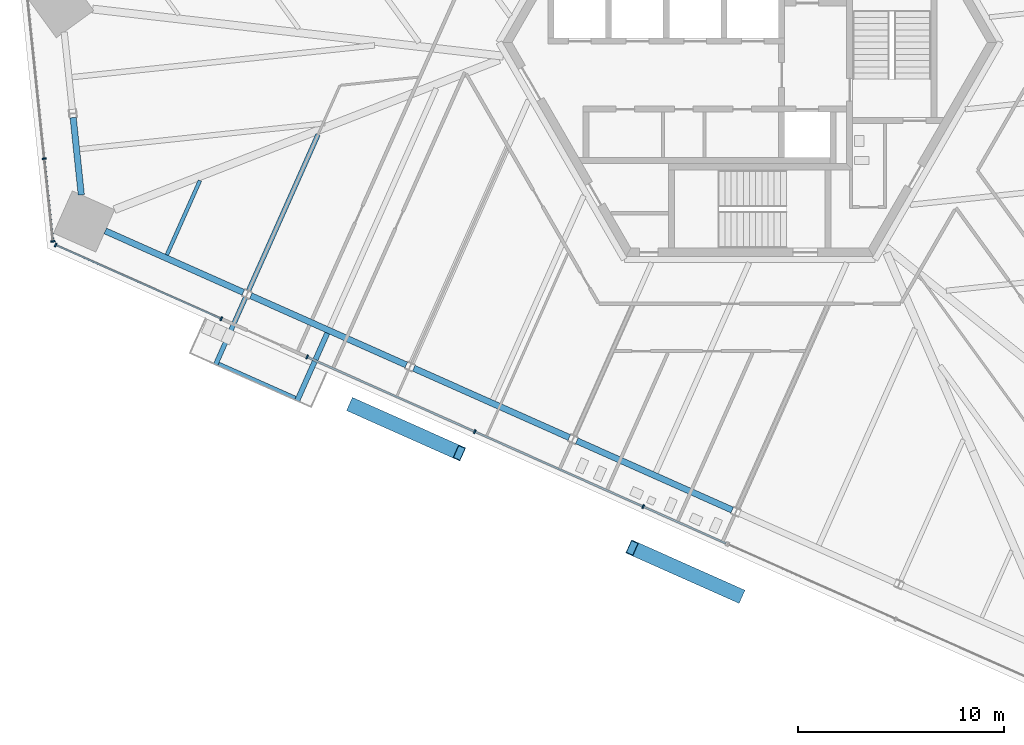
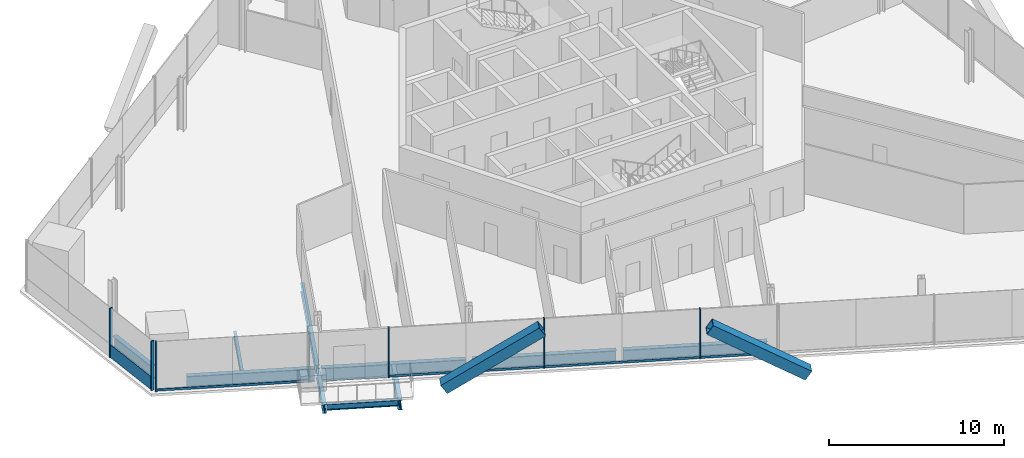
# One storey, part 3 of 19: 14 members, 10 beams, 3 elements without a shape of their own.
"""IFC4 building model written with IfcOpenShell, lengths in metres."""

from ifc_helpers import new_model, si_unit, direction, frame, origin, origin_2d, place, context, subcontext, project, spatial, rectangle, hollow_rectangle, i_section, extrude, source, transform, mapped, material, material_profile, profile_set, type_object, element, aggregate, save


model = new_model("IFC4")

# Units and contexts
model_context = context("Model", 3, precision=1e-05, world=origin(), true_north=direction((0.0, 1.0)))
body_context = subcontext(model_context, "Body", "Model", "MODEL_VIEW")
ifc_project = project(units=[si_unit("LENGTHUNIT", "METRE"), si_unit("AREAUNIT", "SQUARE_METRE"), si_unit("VOLUMEUNIT", "CUBIC_METRE"), si_unit("PLANEANGLEUNIT", "RADIAN"), si_unit("MASSUNIT", "GRAM", prefix="KILO")], contexts=[model_context])

# Site, building, storey
site_placement = place(None, origin())
site = spatial("IfcSite", under=ifc_project, at=site_placement, CompositionType="ELEMENT")
building_placement = place(site_placement, origin())
building = spatial("IfcBuilding", under=site, at=building_placement, Name="Triune Harvest Tower", CompositionType="ELEMENT")
storey_placement = place(building_placement, frame((0.0, 0.0, 69.300048828125)))
storey = spatial("IfcBuildingStorey", under=building, at=storey_placement, Name="L16", CompositionType="ELEMENT", Elevation=69.300048828125)

# Beams
ifc_material_1 = material(Name="Steel ASTM A992 Gr 50", Category="steel")
ifc_material_profile_1 = material_profile(ifc_material_1, i_section(OverallWidth=0.3046875, OverallDepth=0.914306640625, WebThickness=0.0166015625, FlangeThickness=0.02587890625, at=origin_2d()), Name="W36x160")
ifc_profile_set_1 = profile_set([ifc_material_profile_1], Name="Steel ASTM A992 Gr 50")
beam_type_1 = type_object("IfcBeamType", Name="SB-1 Spandrel beam W36x160", PredefinedType="SPANDREL", material=ifc_profile_set_1)
shared_shape_1 = source(origin(), body_context, "Body", "SweptSolid", [
    extrude(i_section(OverallWidth=0.3046875, OverallDepth=0.914306640625, WebThickness=0.0166015625, FlangeThickness=0.02587890625, at=origin_2d()), origin(), (0.0, 0.0, 1.0), 7.337890625),
])
beam_1_placement = place(storey_placement, frame((-31.29150390625, -9.156982421875, -0.6171875), z_axis=(0.913558923036, -0.40670639796, 0.0), x_axis=(0.40670639796, 0.913558923036, 0.0)))
element("IfcBeam", 1, at=beam_1_placement, inside=storey, type_object=beam_type_1, Name="beam/L16/SB17", PredefinedType="SPANDREL", context=body_context, shape_type="MappedRepresentation", body=[
    mapped(shared_shape_1, transform((0.0, 0.0, 0.0), scale=1.0)),
])
shared_shape_2 = source(origin(), body_context, "Body", "SweptSolid", [
    extrude(i_section(OverallWidth=0.3046875, OverallDepth=0.914306640625, WebThickness=0.0166015625, FlangeThickness=0.02587890625, at=origin_2d()), origin(), (0.0, 0.0, 1.0), 8.263427734375),
])
for number, where, z_axis, x_axis, name in (
    (2, (-24.2236328125, -12.3037109375, -0.6171875), (0.913544537455, -0.406738709846, 0.0), (0.406738709846, 0.913544537455, 0.0), "beam/L16/SB18"),
    (3, (-16.310302734375, -15.826904296875, -0.6171875), (0.913544537455, -0.406738709846, 0.0), (0.406738709846, 0.913544537455, 0.0), "beam/L16/SB19"),
    (4, (-8.39697265625, -19.35009765625, -0.6171875), (0.913544537455, -0.406738709846, 0.0), (0.406738709846, 0.913544537455, 0.0), "beam/L16/SB20"),
):
    element("IfcBeam", number, at=place(storey_placement, frame(where, z_axis=z_axis, x_axis=x_axis)), inside=storey, type_object=beam_type_1, Name=name, PredefinedType="SPANDREL", context=body_context, shape_type="MappedRepresentation", body=[
        mapped(shared_shape_2, transform((0.0, 0.0, 0.0), scale=1.0)),
    ])
shared_shape_3 = source(origin(), body_context, "Body", "SweptSolid", [
    extrude(i_section(OverallWidth=0.3046875, OverallDepth=0.914306640625, WebThickness=0.0166015625, FlangeThickness=0.02587890625, at=origin_2d()), origin(), (0.0, 0.0, 1.0), 3.775146484375),
])
beam_2_placement = place(storey_placement, frame((-32.849609375, -3.653076171875, -0.6171875), z_axis=(0.104573690763, -0.994517140727, 0.0), x_axis=(0.994517140727, 0.104573690763, 0.0)))
element("IfcBeam", 5, at=beam_2_placement, inside=storey, type_object=beam_type_1, Name="beam/L16/SB16", PredefinedType="SPANDREL", context=body_context, shape_type="MappedRepresentation", body=[
    mapped(shared_shape_3, transform((0.0, 0.0, 0.0), scale=1.0)),
])
ifc_material_2 = material(Name="Steel ASTM A992 Gr 50", Category="steel")
ifc_material_profile_2 = material_profile(ifc_material_2, i_section(OverallWidth=0.180908203125, OverallDepth=0.41650390625, WebThickness=0.010986328125, FlangeThickness=0.01806640625, at=origin_2d()), Name="W16x57")
ifc_profile_set_2 = profile_set([ifc_material_profile_2], Name="Steel ASTM A992 Gr 50")
beam_type_2 = type_object("IfcBeamType", Name="JT-1 Floor joist W16x57", PredefinedType="JOIST", material=ifc_profile_set_2)
shared_shape_4 = source(origin(), body_context, "Body", "SweptSolid", [
    extrude(i_section(OverallWidth=0.180908203125, OverallDepth=0.41650390625, WebThickness=0.010986328125, FlangeThickness=0.01806640625, at=origin_2d()), origin(), (0.0, 0.0, 1.0), 3.95068359375),
])
beam_3_placement = place(storey_placement, frame((-28.300537109375, -10.32177734375, -0.368408203125), z_axis=(0.406746150359, 0.913541224668, 0.0), x_axis=(-0.913541224668, 0.406746150359, 0.0)))
element("IfcBeam", 6, at=beam_3_placement, inside=storey, type_object=beam_type_2, Name="beam/L16/JT27", PredefinedType="JOIST", context=body_context, shape_type="MappedRepresentation", body=[
    mapped(shared_shape_4, transform((0.0, 0.0, 0.0), scale=1.0)),
])
ifc_material_3 = material(Name="Steel ASTM A992 Gr 50", Category="steel")
ifc_material_profile_3 = material_profile(ifc_material_3, i_section(OverallWidth=0.22900390625, OverallDepth=0.612060546875, WebThickness=0.011962890625, FlangeThickness=0.01953125, at=origin_2d()), Name="W24x84")
ifc_profile_set_3 = profile_set([ifc_material_profile_3], Name="Steel ASTM A992 Gr 50")
beam_type_3 = type_object("IfcBeamType", Name="JT-3 Floor joist W24x84", PredefinedType="JOIST", material=ifc_profile_set_3)
shared_shape_5 = source(origin(), body_context, "Body", "SweptSolid", [
    extrude(i_section(OverallWidth=0.22900390625, OverallDepth=0.612060546875, WebThickness=0.011962890625, FlangeThickness=0.01953125, at=origin_2d()), origin(), (0.0, 0.0, 1.0), 8.28173828125),
])
beam_4_placement = place(storey_placement, frame((-24.32568359375, -12.042724609375, -0.466064453125), z_axis=(0.406731926006, 0.913547557803, 0.0), x_axis=(-0.913547557803, 0.406731926006, 0.0)))
element("IfcBeam", 7, at=beam_4_placement, inside=storey, type_object=beam_type_3, Name="beam/L16/JT28", PredefinedType="JOIST", context=body_context, shape_type="MappedRepresentation", body=[
    mapped(shared_shape_5, transform((0.0, 0.0, 0.0), scale=1.0)),
])

# Members
ifc_material_4 = material(Name="Steel ASTM A572 Gr 50", Category="steel")
ifc_material_profile_4 = material_profile(ifc_material_4, hollow_rectangle(XDim=0.699951171875, YDim=0.699951171875, WallThickness=0.0400390625, at=origin_2d()), Name="Box 700x700x40")
ifc_profile_set_4 = profile_set([ifc_material_profile_4], Name="Steel ASTM A572 Gr 50")
member_type_1 = type_object("IfcMemberType", Name="BR-1 Brace Box 700x700x40", PredefinedType="BRACE", material=ifc_profile_set_4)
shared_shape_6 = source(origin(), body_context, "Body", "SweptSolid", [
    extrude(hollow_rectangle(XDim=0.699951171875, YDim=0.699951171875, WallThickness=0.0400390625, at=origin_2d()), origin(), (0.0, 0.0, 1.0), 6.7021484375),
])
member_1_placement = place(storey_placement, frame((-19.263427734375, -17.637451171875, 0.0), z_axis=(0.7705752444, -0.343105239057, 0.537115059973), x_axis=(0.40675943476, 0.91353530979, 0.0)))
element("IfcMember", 8, at=member_1_placement, inside=storey, type_object=member_type_1, Name="brace/B2-F5/d1/4", PredefinedType="BRACE", context=body_context, shape_type="MappedRepresentation", body=[
    mapped(shared_shape_6, transform((0.0, 0.0, 0.0), scale=1.0)),
])
shared_shape_7 = source(origin(), body_context, "Body", "SweptSolid", [
    extrude(hollow_rectangle(XDim=0.699951171875, YDim=0.699951171875, WallThickness=0.0400390625, at=origin_2d()), origin(), (0.0, 0.0, 1.0), 6.702392578125),
])
member_2_placement = place(storey_placement, frame((-0.542724609375, -26.848388671875, 0.0), z_axis=(-0.770590040898, 0.343095608377, 0.537099983599), x_axis=(-0.406743388258, -0.913542454464, 0.0)))
element("IfcMember", 9, at=member_2_placement, inside=storey, type_object=member_type_1, Name="brace/B2-F5/d2/4", PredefinedType="BRACE", context=body_context, shape_type="MappedRepresentation", body=[
    mapped(shared_shape_7, transform((0.0, 0.0, 0.0), scale=1.0)),
])

# Curtain wall, members
ifc_material_5 = material(Name="Aluminium bronze anodised", Category="aluminium")
curtain_wall_type_1 = type_object("IfcCurtainWallType", Name="CW-1 Tower stick curtain wall", PredefinedType="NOTDEFINED", material=ifc_material_5)
curtain_wall_1_placement = place(storey_placement, origin())
curtain_wall_1 = element("IfcCurtainWall", 10, at=curtain_wall_1_placement, inside=storey, type_object=curtain_wall_type_1, Name="CW-1 B2-F4 L16 run 1")
ifc_material_6 = material(Name="Aluminium bronze anodised", Category="aluminium")
ifc_material_profile_5 = material_profile(ifc_material_6, rectangle(XDim=0.199951171875, YDim=0.074951171875, at=origin_2d()), Name="MU-1 mullion 75 x 200")
ifc_profile_set_5 = profile_set([ifc_material_profile_5], Name="Aluminium bronze anodised")
member_type_2 = type_object("IfcMemberType", Name="MU-1 mullion 75 x 200", PredefinedType="MULLION", material=ifc_profile_set_5)
shared_shape_8 = source(origin(), body_context, "Body", "SweptSolid", [
    extrude(rectangle(XDim=0.199951171875, YDim=0.074951171875, at=origin_2d()), origin(), (0.0, 0.0, 1.0), 3.43994140625),
])
member_3_placement = place(storey_placement, frame((-34.25390625, -5.648193359375, 0.0), z_axis=(0.0, 0.0, 1.0), x_axis=(0.994521790334, 0.104529462601, 0.0)))
member_3 = element("IfcMember", 11, at=member_3_placement, type_object=member_type_2, Name="CW-1 mullion B2-F4 1.3", PredefinedType="MULLION", context=body_context, shape_type="MappedRepresentation", body=[
    mapped(shared_shape_8, transform((0.0, 0.0, 0.0), scale=1.0)),
])
member_4_placement = place(storey_placement, frame((-33.83203125, -9.662109375, 0.0), z_axis=(0.0, 0.0, 1.0), x_axis=(0.994521790334, 0.104529462601, 0.0)))
member_4 = element("IfcMember", 12, at=member_4_placement, type_object=member_type_2, Name="CW-1 mullion B2-F4 1.4", PredefinedType="MULLION", context=body_context, shape_type="MappedRepresentation", body=[
    mapped(shared_shape_8, transform((0.0, 0.0, 0.0), scale=1.0)),
])
ifc_material_7 = material(Name="Aluminium bronze anodised", Category="aluminium")
ifc_material_profile_6 = material_profile(ifc_material_7, rectangle(XDim=0.090087890625, YDim=0.89990234375, at=origin_2d()), Name="TR-1 transom 90 x 900")
ifc_profile_set_6 = profile_set([ifc_material_profile_6], Name="Aluminium bronze anodised")
member_type_3 = type_object("IfcMemberType", Name="TR-1 transom 90 x 900", PredefinedType="USERDEFINED", material=ifc_profile_set_6)
shared_shape_9 = source(origin(), body_context, "Body", "SweptSolid", [
    extrude(rectangle(XDim=0.090087890625, YDim=0.89990234375, at=origin_2d()), origin(), (0.0, 0.0, 1.0), 3.9609375),
])
member_5_placement = place(storey_placement, frame((-34.25, -5.685546875, 0.449951171875), z_axis=(0.104537191117, -0.994520977996, 0.0), x_axis=(0.994520977996, 0.104537191117, 0.0)))
member_5 = element("IfcMember", 13, at=member_5_placement, type_object=member_type_3, Name="CW-1 transom B2-F4 1.2", ObjectType="TRANSOM", PredefinedType="USERDEFINED", context=body_context, shape_type="MappedRepresentation", body=[
    mapped(shared_shape_9, transform((0.0, 0.0, 0.0), scale=1.0)),
])
aggregate(curtain_wall_1, [member_3, member_4, member_5])

ifc_material_8 = material(Name="Aluminium bronze anodised", Category="aluminium")
curtain_wall_type_2 = type_object("IfcCurtainWallType", Name="CW-6 Balcony window wall", PredefinedType="NOTDEFINED", material=ifc_material_8)
curtain_wall_2_placement = place(storey_placement, origin())
curtain_wall_2 = element("IfcCurtainWall", 14, at=curtain_wall_2_placement, inside=storey, type_object=curtain_wall_type_2, Name="CW-6 B2-F5 L16 run 1")
ifc_material_9 = material(Name="Aluminium bronze anodised", Category="aluminium")
ifc_material_profile_7 = material_profile(ifc_material_9, rectangle(XDim=0.199951171875, YDim=0.074951171875, at=origin_2d()), Name="MU-6 mullion 75 x 200")
ifc_profile_set_7 = profile_set([ifc_material_profile_7], Name="Aluminium bronze anodised")
member_type_4 = type_object("IfcMemberType", Name="MU-6 mullion 75 x 200", PredefinedType="MULLION", material=ifc_profile_set_7)
shared_shape_10 = source(origin(), body_context, "Body", "SweptSolid", [
    extrude(rectangle(XDim=0.199951171875, YDim=0.074951171875, at=origin_2d()), origin(), (0.0, 0.0, 1.0), 3.43994140625),
])
member_6_placement = place(storey_placement, frame((-33.7021484375, -9.840576171875, 0.0), z_axis=(0.0, 0.0, 1.0), x_axis=(0.406737205721, 0.913545207137, 0.0)))
member_6 = element("IfcMember", 15, at=member_6_placement, type_object=member_type_4, Name="CW-6 mullion B2-F5 1.1", PredefinedType="MULLION", context=body_context, shape_type="MappedRepresentation", body=[
    mapped(shared_shape_10, transform((0.0, 0.0, 0.0), scale=1.0)),
])
member_7_placement = place(storey_placement, frame((-25.6572265625, -13.42236328125, 0.0), z_axis=(0.0, 0.0, 1.0), x_axis=(0.406737205721, 0.913545207137, 0.0)))
member_7 = element("IfcMember", 16, at=member_7_placement, type_object=member_type_4, Name="CW-6 mullion B2-F5 1.3", PredefinedType="MULLION", context=body_context, shape_type="MappedRepresentation", body=[
    mapped(shared_shape_10, transform((0.0, 0.0, 0.0), scale=1.0)),
])

ifc_material_10 = material(Name="Aluminium bronze anodised", Category="aluminium")
curtain_wall_type_3 = type_object("IfcCurtainWallType", Name="CW-10 Balcony window wall with insulated spandrel infill", PredefinedType="NOTDEFINED", material=ifc_material_10)
curtain_wall_3_placement = place(storey_placement, origin())
curtain_wall_3 = element("IfcCurtainWall", 17, at=curtain_wall_3_placement, inside=storey, type_object=curtain_wall_type_3, Name="CW-10 B2-F5 L16 run 2")
member_8_placement = place(storey_placement, frame((-21.490966796875, -15.27734375, 0.0), z_axis=(0.0, 0.0, 1.0), x_axis=(0.406738957975, 0.91354442698, 0.0)))
member_8 = element("IfcMember", 18, at=member_8_placement, type_object=member_type_4, Name="CW-10 mullion B2-F5 2.1", PredefinedType="MULLION", context=body_context, shape_type="MappedRepresentation", body=[
    mapped(shared_shape_10, transform((0.0, 0.0, 0.0), scale=1.0)),
])
member_9_placement = place(storey_placement, frame((-13.347900390625, -18.90283203125, 0.0), z_axis=(0.0, 0.0, 1.0), x_axis=(0.406738957975, 0.91354442698, 0.0)))
member_9 = element("IfcMember", 19, at=member_9_placement, type_object=member_type_4, Name="CW-10 mullion B2-F5 2.3", PredefinedType="MULLION", context=body_context, shape_type="MappedRepresentation", body=[
    mapped(shared_shape_10, transform((0.0, 0.0, 0.0), scale=1.0)),
])
member_10_placement = place(storey_placement, frame((-5.170654296875, -22.543701171875, 0.0), z_axis=(0.0, 0.0, 1.0), x_axis=(0.406738957975, 0.91354442698, 0.0)))
member_10 = element("IfcMember", 20, at=member_10_placement, type_object=member_type_4, Name="CW-10 mullion B2-F5 2.5", PredefinedType="MULLION", context=body_context, shape_type="MappedRepresentation", body=[
    mapped(shared_shape_10, transform((0.0, 0.0, 0.0), scale=1.0)),
])

# Beams
ifc_material_11 = material(Name="Steel ASTM A992 Gr 50", Category="steel")
ifc_material_profile_8 = material_profile(ifc_material_11, i_section(OverallWidth=0.253662109375, OverallDepth=0.683349609375, WebThickness=0.012451171875, FlangeThickness=0.01904296875, at=origin_2d()), Name="W27x94")
ifc_profile_set_8 = profile_set([ifc_material_profile_8], Name="Steel ASTM A992 Gr 50")
beam_type_4 = type_object("IfcBeamType", Name="BJ-4 Balcony cantilever joist W27x94", PredefinedType="JOIST", material=ifc_profile_set_8)
shared_shape_11 = source(origin(), body_context, "Body", "SweptSolid", [
    extrude(i_section(OverallWidth=0.253662109375, OverallDepth=0.683349609375, WebThickness=0.012451171875, FlangeThickness=0.01904296875, at=origin_2d()), origin(), (0.0, 0.0, 1.0), 3.59765625),
])
beam_5_placement = place(storey_placement, frame((-20.510986328125, -14.123291015625, -0.501708984375), z_axis=(-0.406755413658, -0.91353710021, 0.0), x_axis=(0.91353710021, -0.406755413658, 0.0)))
element("IfcBeam", 21, at=beam_5_placement, inside=storey, type_object=beam_type_4, Name="Balcony cantilever joist B2-F5 L16.3b", PredefinedType="JOIST", context=body_context, shape_type="MappedRepresentation", body=[
    mapped(shared_shape_11, transform((0.0, 0.0, 0.0), scale=1.0)),
])
ifc_material_12 = material(Name="Steel ASTM A992 Gr 50", Category="steel")
ifc_material_profile_9 = material_profile(ifc_material_12, i_section(OverallWidth=0.180908203125, OverallDepth=0.41650390625, WebThickness=0.010986328125, FlangeThickness=0.01806640625, at=origin_2d()), Name="W16x57")
ifc_profile_set_9 = profile_set([ifc_material_profile_9], Name="Steel ASTM A992 Gr 50")
beam_type_5 = type_object("IfcBeamType", Name="BE-1 balcony edge beam W16x57", PredefinedType="BEAM", material=ifc_profile_set_9)
shared_shape_12 = source(origin(), body_context, "Body", "SweptSolid", [
    extrude(i_section(OverallWidth=0.180908203125, OverallDepth=0.41650390625, WebThickness=0.010986328125, FlangeThickness=0.01806640625, at=origin_2d()), origin(), (0.0, 0.0, 1.0), 4.089599609375),
])
beam_6_placement = place(storey_placement, frame((-25.78955078125, -15.6123046875, -0.368408203125), z_axis=(0.913552878948, -0.406719974141, 0.0), x_axis=(0.406719974141, 0.913552878948, 0.0)))
element("IfcBeam", 22, at=beam_6_placement, inside=storey, type_object=beam_type_5, Name="Balcony edge beam B2-F5 L16.3", PredefinedType="BEAM", context=body_context, shape_type="MappedRepresentation", body=[
    mapped(shared_shape_12, transform((0.0, 0.0, 0.0), scale=1.0)),
])

# Member
ifc_material_13 = material(Name="Aluminium bronze anodised", Category="aluminium")
ifc_material_profile_10 = material_profile(ifc_material_13, rectangle(XDim=0.090087890625, YDim=0.14990234375, at=origin_2d()), Name="TR-6 transom 90 x 150")
ifc_profile_set_10 = profile_set([ifc_material_profile_10], Name="Aluminium bronze anodised")
member_type_5 = type_object("IfcMemberType", Name="TR-6 transom 90 x 150", PredefinedType="USERDEFINED", material=ifc_profile_set_10)
shared_shape_13 = source(origin(), body_context, "Body", "SweptSolid", [
    extrude(rectangle(XDim=0.090087890625, YDim=0.14990234375, at=origin_2d()), origin(), (0.0, 0.0, 1.0), 8.731201171875),
])
member_11_placement = place(storey_placement, frame((-33.66796875, -9.85595703125, 0.074951171875), z_axis=(0.913546147299, -0.406735094078, 0.0), x_axis=(0.406735094078, 0.913546147299, 0.0)))
member_11 = element("IfcMember", 23, at=member_11_placement, type_object=member_type_5, Name="CW-6 transom B2-F5 1.1", ObjectType="TRANSOM", PredefinedType="USERDEFINED", context=body_context, shape_type="MappedRepresentation", body=[
    mapped(shared_shape_13, transform((0.0, 0.0, 0.0), scale=1.0)),
])

aggregate(curtain_wall_2, [member_6, member_7, member_11])

# Beam
ifc_material_14 = material(Name="Steel ASTM A992 Gr 50", Category="steel")
ifc_material_profile_11 = material_profile(ifc_material_14, i_section(OverallWidth=0.22900390625, OverallDepth=0.612060546875, WebThickness=0.011962890625, FlangeThickness=0.01953125, at=origin_2d()), Name="W24x84")
ifc_profile_set_11 = profile_set([ifc_material_profile_11], Name="Steel ASTM A992 Gr 50")
beam_type_6 = type_object("IfcBeamType", Name="BJ-3 Balcony cantilever joist W24x84", PredefinedType="JOIST", material=ifc_profile_set_11)
shared_shape_14 = source(origin(), body_context, "Body", "SweptSolid", [
    extrude(i_section(OverallWidth=0.22900390625, OverallDepth=0.612060546875, WebThickness=0.011962890625, FlangeThickness=0.01953125, at=origin_2d()), origin(), (0.0, 0.0, 1.0), 3.597412109375),
])
beam_7_placement = place(storey_placement, frame((-24.4677734375, -12.36181640625, -0.466064453125), z_axis=(-0.406723993675, -0.913551089414, 0.0), x_axis=(0.913551089414, -0.406723993675, 0.0)))
element("IfcBeam", 24, at=beam_7_placement, inside=storey, type_object=beam_type_6, Name="Balcony cantilever joist B2-F5 L16.3a", PredefinedType="JOIST", context=body_context, shape_type="MappedRepresentation", body=[
    mapped(shared_shape_14, transform((0.0, 0.0, 0.0), scale=1.0)),
])

# Member
shared_shape_15 = source(origin(), body_context, "Body", "SweptSolid", [
    extrude(rectangle(XDim=0.090087890625, YDim=0.14990234375, at=origin_2d()), origin(), (0.0, 0.0, 1.0), 8.8759765625),
])
member_12_placement = place(storey_placement, frame((-13.313720703125, -18.918212890625, 0.074951171875), z_axis=(0.913539124286, -0.406750867731, 0.0), x_axis=(0.406750867731, 0.913539124286, 0.0)))
member_12 = element("IfcMember", 25, at=member_12_placement, type_object=member_type_5, Name="CW-10 transom B2-F5 2.2", ObjectType="TRANSOM", PredefinedType="USERDEFINED", context=body_context, shape_type="MappedRepresentation", body=[
    mapped(shared_shape_15, transform((0.0, 0.0, 0.0), scale=1.0)),
])

shared_shape_16 = source(origin(), body_context, "Body", "SweptSolid", [
    extrude(rectangle(XDim=0.090087890625, YDim=0.14990234375, at=origin_2d()), origin(), (0.0, 0.0, 1.0), 4.363037109375),
])
member_13_placement = place(storey_placement, frame((-5.136474609375, -22.55908203125, 0.074951171875), z_axis=(0.913562163796, -0.406699118367, 0.0), x_axis=(0.406699118367, 0.913562163796, 0.0)))
member_13 = element("IfcMember", 26, at=member_13_placement, type_object=member_type_5, Name="CW-10 transom B2-F5 2.3", ObjectType="TRANSOM", PredefinedType="USERDEFINED", context=body_context, shape_type="MappedRepresentation", body=[
    mapped(shared_shape_16, transform((0.0, 0.0, 0.0), scale=1.0)),
])

shared_shape_17 = source(origin(), body_context, "Body", "SweptSolid", [
    extrude(rectangle(XDim=0.090087890625, YDim=0.14990234375, at=origin_2d()), origin(), (0.0, 0.0, 1.0), 8.838623046875),
])
member_14_placement = place(storey_placement, frame((-21.456787109375, -15.292724609375, 0.074951171875), z_axis=(0.913545953469, -0.40673552943, 0.0), x_axis=(0.40673552943, 0.913545953469, 0.0)))
member_14 = element("IfcMember", 27, at=member_14_placement, type_object=member_type_5, Name="CW-10 transom B2-F5 2.1", ObjectType="TRANSOM", PredefinedType="USERDEFINED", context=body_context, shape_type="MappedRepresentation", body=[
    mapped(shared_shape_17, transform((0.0, 0.0, 0.0), scale=1.0)),
])

aggregate(curtain_wall_3, [member_8, member_9, member_10, member_14, member_12, member_13])

save(model, "model.ifc")
